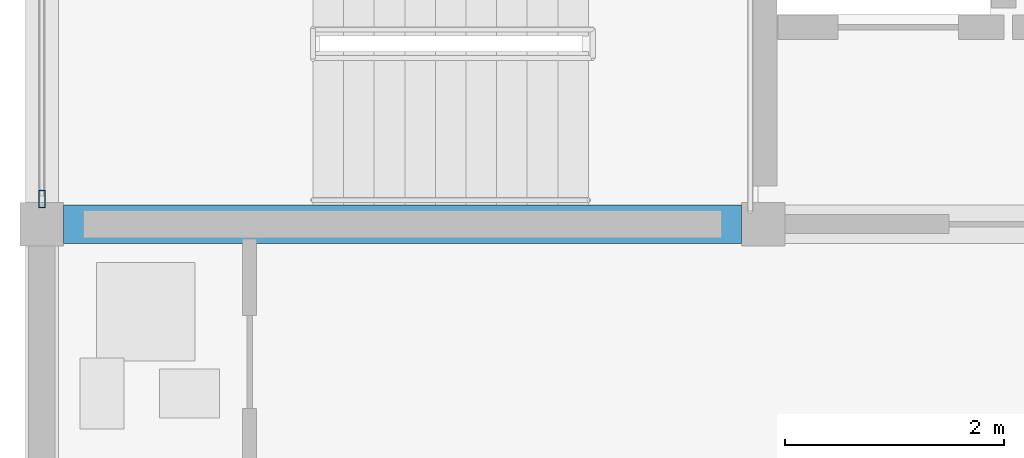
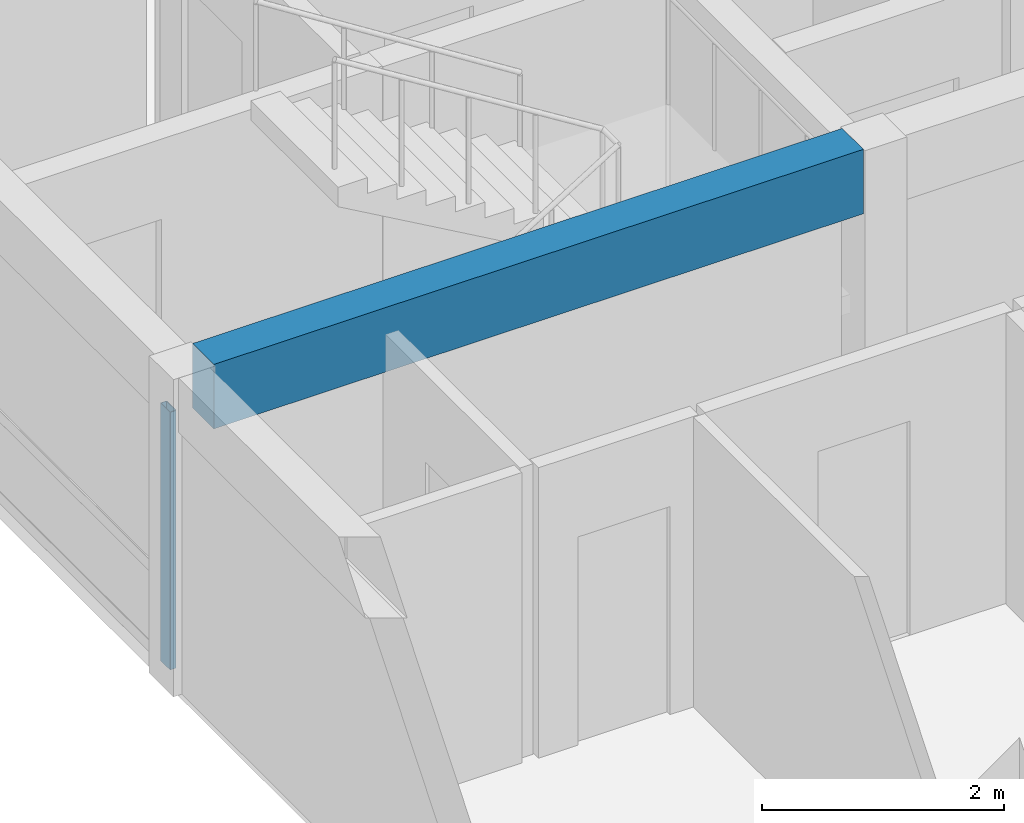
# One storey, part 2 of 12: 1 beam, 1 member, 1 element without a shape of its own.
"""IFC4 building model written with IfcOpenShell, lengths in metres."""

from ifc_helpers import new_model, si_unit, direction, frame, origin, origin_2d, place, context, subcontext, project, spatial, rectangle, hollow_rectangle, extrude, material, material_profile, profile_set, type_object, element, aggregate, save


model = new_model("IFC4")

# Units and contexts
model_context = context("Model", 3, precision=1e-05, world=origin(), true_north=direction((0.0, 1.0)))
body_context = subcontext(model_context, "Body", "Model", "MODEL_VIEW")
ifc_project = project(units=[si_unit("LENGTHUNIT", "METRE"), si_unit("AREAUNIT", "SQUARE_METRE"), si_unit("VOLUMEUNIT", "CUBIC_METRE"), si_unit("PLANEANGLEUNIT", "RADIAN"), si_unit("MASSUNIT", "GRAM", prefix="KILO")], contexts=[model_context])

# Site, building, storey
site_placement = place(None, origin())
site = spatial("IfcSite", under=ifc_project, at=site_placement, CompositionType="ELEMENT")
building_placement = place(site_placement, origin())
building = spatial("IfcBuilding", under=site, at=building_placement, Name="Kernevlak Ridge Housing Community", CompositionType="ELEMENT")
storey_placement = place(building_placement, frame((0.0, 0.0, 56.39990234375)))
storey = spatial("IfcBuildingStorey", under=building, at=storey_placement, Name="L17", CompositionType="ELEMENT", Elevation=56.39990234375)

# Beam
ifc_material_1 = material(Name="Concrete C35/45", Category="concrete")
ifc_material_profile_1 = material_profile(ifc_material_1, rectangle(XDim=0.35009765625, YDim=0.64990234375, at=origin_2d()), Name="RC 350x650")
ifc_profile_set_1 = profile_set([ifc_material_profile_1], Name="Concrete C35/45")
beam_type = type_object("IfcBeamType", Name="B-02", PredefinedType="BEAM", material=ifc_profile_set_1)
beam_placement = place(storey_placement, frame((15.800048828125, 82.60009765625, 2.875), z_axis=(1.0, 0.0, 0.0), x_axis=(0.0, 1.0, 0.0)))
element("IfcBeam", 1, at=beam_placement, inside=storey, type_object=beam_type, Name="Beam B-02 L17 503", PredefinedType="BEAM", context=body_context, shape_type="SweptSolid", body=[
    extrude(rectangle(XDim=0.35009765625, YDim=0.64990234375, at=origin_2d()), origin(), (0.0, 0.0, 1.0), 6.199951171875),
])

# Curtain wall, member
ifc_material_2 = material(Name="Aluminium EN AW-6060 anodised and laminated glass", Category="aluminium")
curtain_wall_type = type_object("IfcCurtainWallType", Name="CW-01", PredefinedType="NOTDEFINED", material=ifc_material_2)
curtain_wall_placement = place(storey_placement, origin())
curtain_wall = element("IfcCurtainWall", 2, at=curtain_wall_placement, inside=storey, type_object=curtain_wall_type, Name="Curtain wall CW-01 CW-L17-052", PredefinedType="NOTDEFINED")
ifc_material_3 = material(Name="Aluminium EN AW-6060 anodised", Category="aluminium")
ifc_material_profile_2 = material_profile(ifc_material_3, hollow_rectangle(XDim=0.06005859375, YDim=0.159912109375, WallThickness=0.00390625, InnerFilletRadius=0.001953125, OuterFilletRadius=0.00390625, at=origin_2d()), Name="ALU 60x160x4")
ifc_profile_set_2 = profile_set([ifc_material_profile_2], Name="Aluminium EN AW-6060 anodised")
member_type = type_object("IfcMemberType", Name="MU-02", PredefinedType="MULLION", material=ifc_profile_set_2)
member_placement = place(storey_placement, frame((15.60009765625, 82.830078125, 0.0), z_axis=(0.0, 0.0, 1.0), x_axis=(-1.0, 0.0, 0.0)))
member = element("IfcMember", 3, at=member_placement, type_object=member_type, Name="CW-01 mullion 1", PredefinedType="MULLION", context=body_context, shape_type="SweptSolid", body=[
    extrude(hollow_rectangle(XDim=0.06005859375, YDim=0.159912109375, WallThickness=0.00390625, InnerFilletRadius=0.001953125, OuterFilletRadius=0.00390625, at=origin_2d()), origin(), (0.0, 0.0, 1.0), 2.60009765625),
])
aggregate(curtain_wall, [member])

save(model, "model.ifc")
